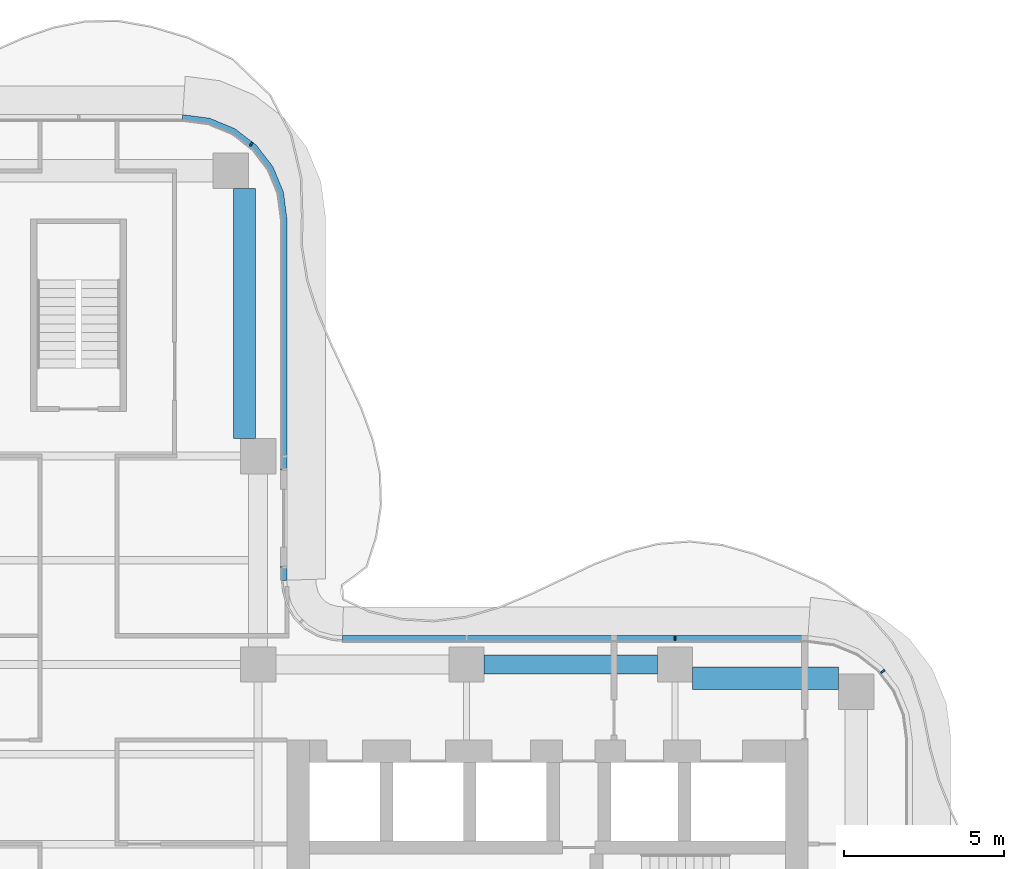
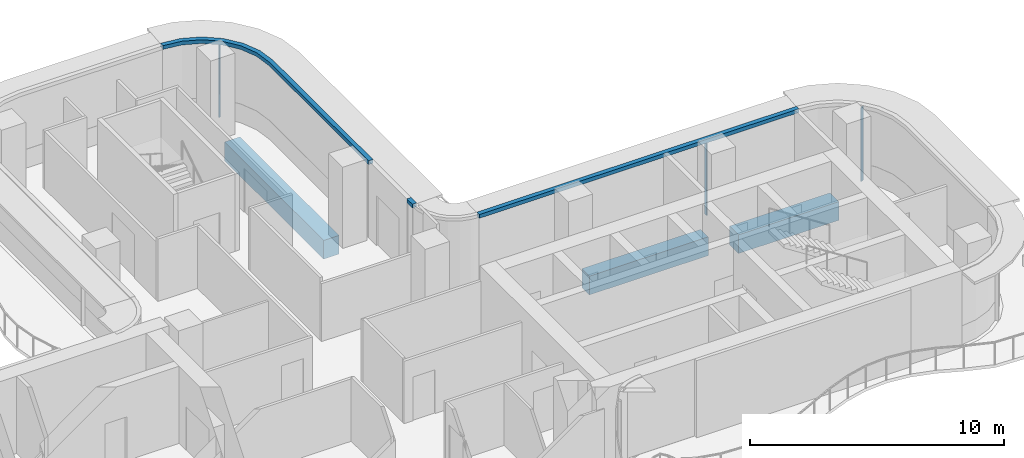
# One storey, part 9 of 19: 6 members, 3 beams, 4 elements without a shape of their own.
"""IFC4 building model written with IfcOpenShell, lengths in metres."""

from ifc_helpers import new_model, si_unit, direction, frame, origin, origin_2d, place, context, subcontext, project, spatial, polyline, rectangle, outline, extrude, source, transform, mapped, material, layer, layer_set, material_profile, profile_set, type_object, element, aggregate, save


model = new_model("IFC4")

# Units and contexts
model_context = context("Model", 3, precision=1e-05, world=origin(), true_north=direction((0.0, 1.0)))
body_context = subcontext(model_context, "Body", "Model", "MODEL_VIEW")
ifc_project = project(units=[si_unit("LENGTHUNIT", "METRE"), si_unit("AREAUNIT", "SQUARE_METRE"), si_unit("VOLUMEUNIT", "CUBIC_METRE"), si_unit("PLANEANGLEUNIT", "RADIAN"), si_unit("MASSUNIT", "GRAM", prefix="KILO")], contexts=[model_context])

# Site, building, storey
site_placement = place(None, origin())
site = spatial("IfcSite", under=ifc_project, at=site_placement, CompositionType="ELEMENT")
building_placement = place(site_placement, origin())
building = spatial("IfcBuilding", under=site, at=building_placement, Name="Trellis Farm Tower", CompositionType="ELEMENT")
storey_placement = place(building_placement, frame((0.0, 0.0, 228.5)))
storey = spatial("IfcBuildingStorey", under=building, at=storey_placement, Name="L50", CompositionType="ELEMENT", Elevation=228.5)

# Beams
ifc_material_1 = material(Name="Concrete C60/75", Category="concrete")
ifc_material_profile_1 = material_profile(ifc_material_1, rectangle(XDim=0.60009765625, YDim=0.89990234375, at=origin_2d()), Name="RC spandrel beam 600x900 C60/75")
ifc_profile_set_1 = profile_set([ifc_material_profile_1], Name="Concrete C60/75")
beam_type_1 = type_object("IfcBeamType", Name="RC spandrel beam 600x900 C60/75", PredefinedType="SPANDREL", material=ifc_profile_set_1)
shared_shape_1 = source(origin(), body_context, "Body", "SweptSolid", [
    extrude(rectangle(XDim=0.60009765625, YDim=0.89990234375, at=origin_2d()), origin(), (0.0, 0.0, 1.0), 5.400146484375),
])
beam_1_placement = place(storey_placement, frame((12.64990234375, 5.60009765625, -0.64990234375), z_axis=(1.0, 0.0, 0.0), x_axis=(0.0, 1.0, 0.0)))
element("IfcBeam", 1, at=beam_1_placement, inside=storey, type_object=beam_type_1, Name="Girder", PredefinedType="SPANDREL", context=body_context, shape_type="MappedRepresentation", body=[
    mapped(shared_shape_1, transform((0.0, 0.0, 0.0))),
])
ifc_material_profile_2 = material_profile(ifc_material_1, rectangle(XDim=0.699951171875, YDim=0.89990234375, at=origin_2d()), Name="RC spandrel beam 700x900 C60/75")
ifc_profile_set_2 = profile_set([ifc_material_profile_2], Name="Concrete C60/75")
beam_type_2 = type_object("IfcBeamType", Name="RC spandrel beam 700x900 C60/75", PredefinedType="SPANDREL", material=ifc_profile_set_2)
shared_shape_2 = source(origin(), body_context, "Body", "SweptSolid", [
    extrude(rectangle(XDim=0.699951171875, YDim=0.89990234375, at=origin_2d()), origin(), (0.0, 0.0, 1.0), 4.550048828125),
])
beam_2_placement = place(storey_placement, frame((19.14990234375, 5.175048828125, -0.64990234375), z_axis=(1.0, 0.0, 0.0), x_axis=(0.0, 1.0, 0.0)))
element("IfcBeam", 2, at=beam_2_placement, inside=storey, type_object=beam_type_2, Name="Girder", PredefinedType="SPANDREL", context=body_context, shape_type="MappedRepresentation", body=[
    mapped(shared_shape_2, transform((0.0, 0.0, 0.0))),
])
shared_shape_3 = source(origin(), body_context, "Body", "SweptSolid", [
    extrude(rectangle(XDim=0.699951171875, YDim=0.89990234375, at=origin_2d()), origin(), (0.0, 0.0, 1.0), 7.800048828125),
])
beam_3_placement = place(storey_placement, frame((5.175048828125, 12.64990234375, -0.64990234375), z_axis=(0.0, 1.0, 0.0), x_axis=(-1.0, 0.0, 0.0)))
element("IfcBeam", 3, at=beam_3_placement, inside=storey, type_object=beam_type_2, Name="Girder", PredefinedType="SPANDREL", context=body_context, shape_type="MappedRepresentation", body=[
    mapped(shared_shape_3, transform((0.0, 0.0, 0.0))),
])

# Curtain wall, member
ifc_material_2 = material(Name="Aluminium and glass curtain wall", Category="aluminium")
ifc_layer_1 = layer(ifc_material_2, 0.18994140625)
ifc_layer_set_1 = layer_set([ifc_layer_1], Name="RIBBON CURTAIN WALL CW1")
curtain_wall_type = type_object("IfcCurtainWallType", Name="RIBBON CURTAIN WALL CW1", PredefinedType="NOTDEFINED", material=ifc_layer_set_1)
placement_1 = place(storey_placement, origin())
curtain_wall_1 = element("IfcCurtainWall", 4, at=placement_1, inside=storey, type_object=curtain_wall_type, Name="CW1 006", PredefinedType="NOTDEFINED")
ifc_material_3 = material(Name="Aluminium extrusion 6063-T6", Category="aluminium")
ifc_material_profile_3 = material_profile(ifc_material_3, rectangle(XDim=0.06005859375, YDim=0.14990234375, at=origin_2d()), Name="MULLION 60x150")
ifc_profile_set_3 = profile_set([ifc_material_profile_3], Name="Aluminium extrusion 6063-T6")
member_type_1 = type_object("IfcMemberType", Name="CW1 MULLION 60x150", PredefinedType="MULLION", material=ifc_profile_set_3)
shared_shape_4 = source(origin(), body_context, "Body", "SweptSolid", [
    extrude(rectangle(XDim=0.06005859375, YDim=0.14990234375, at=origin_2d()), origin(), (0.0, 0.0, 1.0), 3.52001953125),
])
member_1_placement = place(storey_placement, frame((25.078369140625, 5.385498046875, 0.0), z_axis=(0.0, 0.0, 1.0), x_axis=(-0.608761429009, 0.793353340291, 0.0)))
member_1 = element("IfcMember", 5, at=member_1_placement, type_object=member_type_1, Name="MU1 006-02", PredefinedType="MULLION", context=body_context, shape_type="MappedRepresentation", body=[
    mapped(shared_shape_4, transform((0.0, 0.0, 0.0))),
])
aggregate(curtain_wall_1, [member_1])

curtain_wall_2 = element("IfcCurtainWall", 6, at=placement_1, inside=storey, type_object=curtain_wall_type, Name="CW1 007", PredefinedType="NOTDEFINED")
member_2_placement = place(storey_placement, frame((18.60009765625, 6.425048828125, 0.0), z_axis=(0.0, 0.0, 1.0), x_axis=(-1.0, 0.0, 0.0)))
member_2 = element("IfcMember", 7, at=member_2_placement, type_object=member_type_1, Name="MU1 007-01", PredefinedType="MULLION", context=body_context, shape_type="MappedRepresentation", body=[
    mapped(shared_shape_4, transform((0.0, 0.0, 0.0))),
])

curtain_wall_3 = element("IfcCurtainWall", 8, at=placement_1, inside=storey, type_object=curtain_wall_type, Name="CW1 009", PredefinedType="NOTDEFINED")
member_3_placement = place(storey_placement, frame((5.385498046875, 21.828369140625, 0.0), z_axis=(0.0, 0.0, 1.0), x_axis=(-0.793353340291, 0.608761429009, 0.0)))
member_3 = element("IfcMember", 9, at=member_3_placement, type_object=member_type_1, Name="MU1 009-03", PredefinedType="MULLION", context=body_context, shape_type="MappedRepresentation", body=[
    mapped(shared_shape_4, transform((0.0, 0.0, 0.0))),
])

# Member
ifc_layer_2 = layer(ifc_material_3, 0.199951171875)
ifc_layer_set_2 = layer_set([ifc_layer_2], Name="Aluminium extrusion 6063-T6")
member_type_2 = type_object("IfcMemberType", Name="CW1 TRANSOM 200x180", PredefinedType="USERDEFINED", material=ifc_layer_set_2)
shared_shape_5 = source(origin(), body_context, "Body", "SweptSolid", [
    extrude(outline(polyline([(22.75, 6.5), (8.2314453125, 6.5), (8.224853515625, 6.300048828125), (22.73681640625, 6.300048828125), (22.75, 6.5)])), origin(), (0.0, 0.0, 1.0), 0.179931640625),
])
placement_2 = place(storey_placement, frame((0.0, 0.0, 3.52001953125)))
member_4 = element("IfcMember", 10, at=placement_2, type_object=member_type_2, Name="TR1 007", ObjectType="TRANSOM", PredefinedType="USERDEFINED", context=body_context, shape_type="MappedRepresentation", body=[
    mapped(shared_shape_5, transform((0.0, 0.0, 0.0))),
])

aggregate(curtain_wall_2, [member_2, member_4])

# Curtain wall, member
curtain_wall_4 = element("IfcCurtainWall", 11, at=placement_1, inside=storey, type_object=curtain_wall_type, Name="CW1 008", PredefinedType="NOTDEFINED")
shared_shape_6 = source(origin(), body_context, "Body", "SweptSolid", [
    extrude(outline(polyline([(6.5, 8.2314453125), (6.5, 8.665771484375), (6.300048828125, 8.665771484375), (6.300048828125, 8.224853515625), (6.5, 8.2314453125)])), origin(), (0.0, 0.0, 1.0), 0.179931640625),
])
member_5 = element("IfcMember", 12, at=placement_2, type_object=member_type_2, Name="TR1 008", ObjectType="TRANSOM", PredefinedType="USERDEFINED", context=body_context, shape_type="MappedRepresentation", body=[
    mapped(shared_shape_6, transform((0.0, 0.0, 0.0))),
])
aggregate(curtain_wall_4, [member_5])

# Member
shared_shape_7 = source(origin(), body_context, "Body", "SweptSolid", [
    extrude(outline(polyline([(6.5, 11.665771484375), (6.5, 19.5), (6.38916015625, 20.341064453125), (6.064697265625, 21.125), (5.548095703125, 21.798095703125), (4.875, 22.314697265625), (4.091064453125, 22.63916015625), (3.25, 22.75), (3.23681640625, 22.550048828125), (4.0390625, 22.4443359375), (4.774169921875, 22.139892578125), (5.405517578125, 21.655517578125), (5.889892578125, 21.024169921875), (6.1943359375, 20.2890625), (6.300048828125, 19.48681640625), (6.300048828125, 11.665771484375), (6.5, 11.665771484375)])), origin(), (0.0, 0.0, 1.0), 0.179931640625),
])
member_6 = element("IfcMember", 13, at=placement_2, type_object=member_type_2, Name="TR1 009", ObjectType="TRANSOM", PredefinedType="USERDEFINED", context=body_context, shape_type="MappedRepresentation", body=[
    mapped(shared_shape_7, transform((0.0, 0.0, 0.0))),
])

aggregate(curtain_wall_3, [member_3, member_6])

save(model, "model.ifc")
